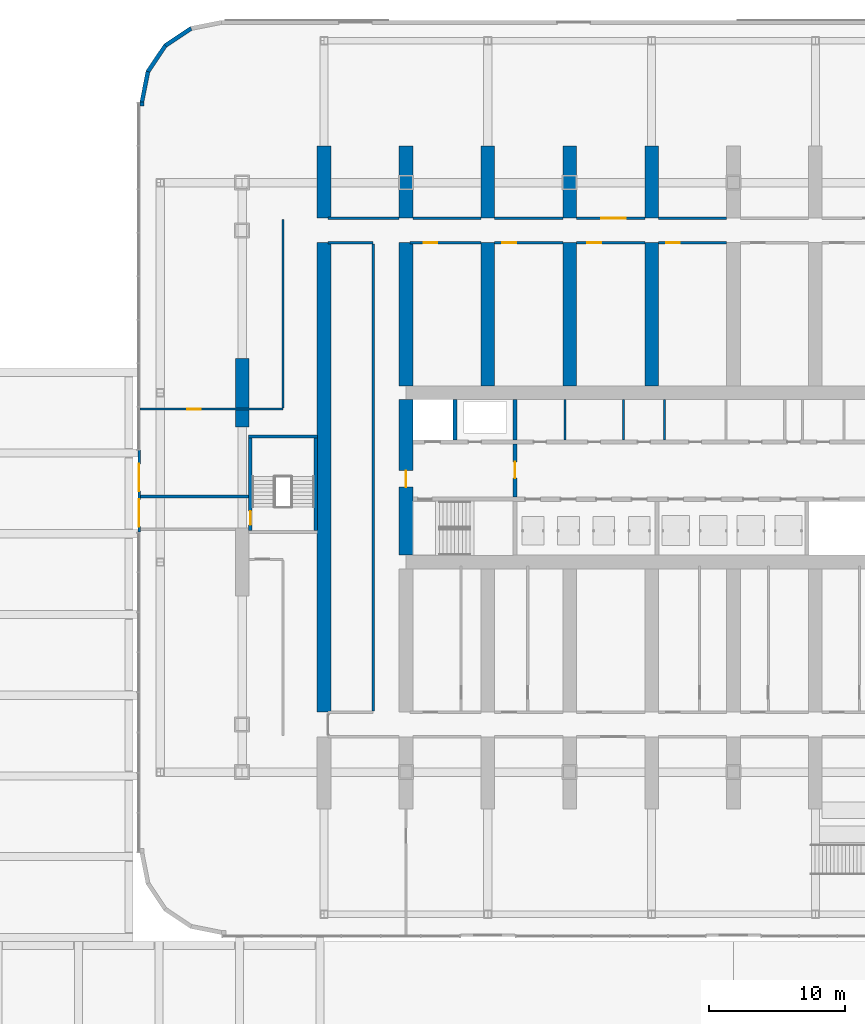
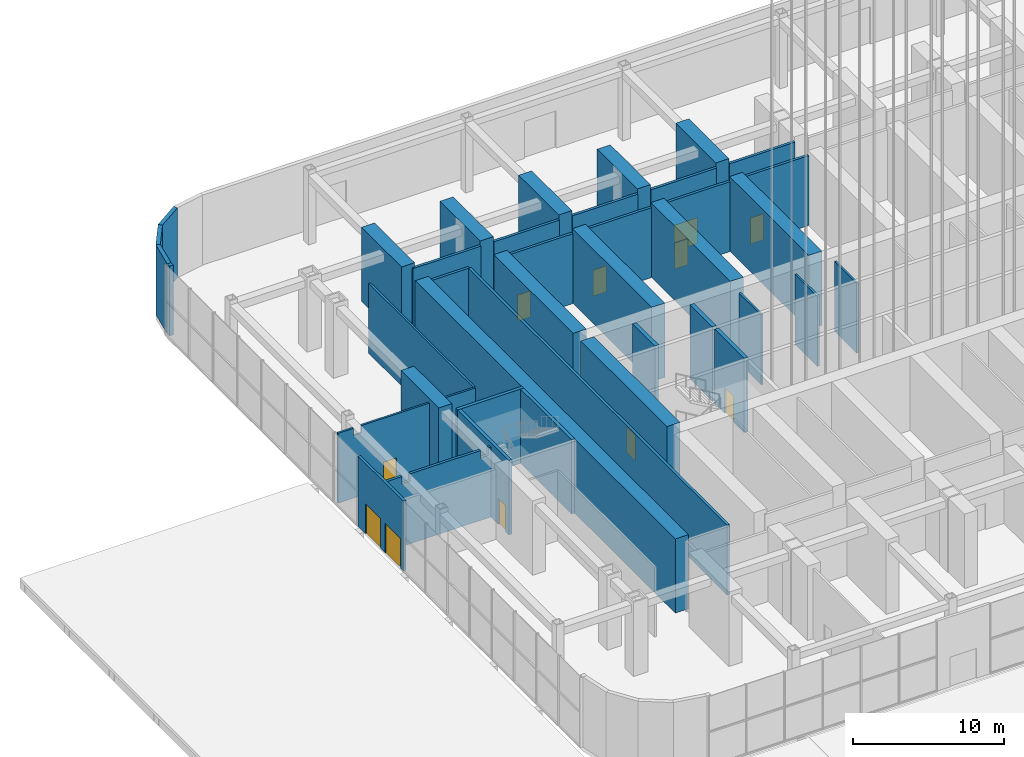
# One storey, part 19 of 57: 40 walls, 11 doors, 11 openings.
"""IFC4 building model written with IfcOpenShell, lengths in metres."""

from ifc_helpers import new_model, si_unit, direction, frame, frame_2d, origin, place, context, subcontext, project, spatial, polyline, rectangle, outline, extrude, material, layer, layer_set, type_object, element, fill, save


model = new_model("IFC4")

# Units and contexts
model_context = context("Model", 3, precision=1e-05, world=origin(), true_north=direction((0.0, 1.0)))
body_context = subcontext(model_context, "Body", "Model", "MODEL_VIEW")
ifc_project = project(units=[si_unit("LENGTHUNIT", "METRE"), si_unit("AREAUNIT", "SQUARE_METRE"), si_unit("VOLUMEUNIT", "CUBIC_METRE"), si_unit("PLANEANGLEUNIT", "RADIAN"), si_unit("MASSUNIT", "GRAM", prefix="KILO")], contexts=[model_context])

# Site, building, storey
site_placement = place(None, origin())
site = spatial("IfcSite", under=ifc_project, at=site_placement, CompositionType="ELEMENT")
building_placement = place(site_placement, origin())
building = spatial("IfcBuilding", under=site, at=building_placement, Name="Orbita Commons", CompositionType="ELEMENT")
storey_placement = place(building_placement, origin())
storey = spatial("IfcBuildingStorey", under=building, at=storey_placement, Name="L00", CompositionType="ELEMENT", Elevation=0.0)

# Wall, opening, door
ifc_material_1 = material(Name="Concrete C50/60", Category="concrete")
ifc_layer_1 = layer(ifc_material_1, 0.300048828125)
ifc_layer_set_1 = layer_set([ifc_layer_1], Name="Concrete C50/60")
wall_type_1 = type_object("IfcWallType", Name="Core inner wall 300 C50/60", PredefinedType="SHEAR", material=ifc_layer_set_1)
wall_1_placement = place(storey_placement, frame((26.0, 30.550048828125, 0.0), z_axis=(0.0, 0.0, 1.0), x_axis=(0.0, 1.0, 0.0)))
wall_1 = element("IfcWall", 1, at=wall_1_placement, inside=storey, type_object=wall_type_1, Name="Firefighting lobby wall west L00", PredefinedType="SHEAR", context=body_context, shape_type="SweptSolid", body=[
    extrude(rectangle(XDim=3.89990234375, YDim=0.300048828125, at=frame_2d((1.949951171875, 0.0))), origin(), (0.0, 0.0, 1.0), 6.0),
])
opening_1_placement = place(wall_1_placement, frame((1.39990234375, 0.0, 0.0)))
opening_1 = element("IfcOpeningElement", 2, at=opening_1_placement, cuts=wall_1, Name="Opening D04", PredefinedType="OPENING", context=body_context, shape_type="SweptSolid", body=[
    extrude(rectangle(XDim=1.199951171875, YDim=2.10009765625, at=frame_2d((0.60009765625, 1.050048828125))), frame((0.0, 0.159912109375, 0.0), z_axis=(0.0, -1.0, 0.0), x_axis=(1.0, 0.0, 0.0)), (0.0, 0.0, 1.0), 0.320068359375),
])
ifc_material_2 = material(Name="Steel-faced fire door leaf", Category="steel")
door_type_1 = type_object("IfcDoorType", Name="Service door 20 min 1200x2100", OperationType="SINGLE_SWING_LEFT", PredefinedType="DOOR", material=ifc_material_2)
door_1_placement = place(opening_1_placement, origin())
door_1 = element("IfcDoor", 3, at=door_1_placement, inside=storey, type_object=door_type_1, Name="Lift lobby door west", OperationType="SINGLE_SWING_LEFT", OverallHeight=2.10009765625, OverallWidth=1.199951171875, PredefinedType="DOOR", context=body_context, shape_type="SweptSolid", body=[
    extrude(rectangle(XDim=1.199951171875, YDim=2.10009765625, at=frame_2d((0.60009765625, 1.050048828125))), frame((0.0, 0.02490234375, 0.0), z_axis=(0.0, -1.0, 0.0), x_axis=(1.0, 0.0, 0.0)), (0.0, 0.0, 1.0), 0.050048828125),
])
fill(opening_1, door_1)

# Walls
for number, where, z_axis, x_axis, name in (
    (4, (21.60009765625, 34.75, 0.0), (0.0, 0.0, 1.0), (0.0, 1.0, 0.0), "Firefighting lift FL1 shaft wall L00"),
    (5, (26.0, 34.75, 0.0), (0.0, 0.0, 1.0), (0.0, 1.0, 0.0), "Riser wall west L00"),
):
    element("IfcWall", number, at=place(storey_placement, frame(where, z_axis=z_axis, x_axis=x_axis)), inside=storey, type_object=wall_type_1, Name=name, PredefinedType="SHEAR", context=body_context, shape_type="SweptSolid", body=[
        extrude(rectangle(XDim=2.949951171875, YDim=0.300048828125, at=frame_2d((1.47509765625, 0.0))), origin(), (0.0, 0.0, 1.0), 6.0),
    ])
ifc_material_3 = material(Name="Concrete blockwork", Category="masonry")
ifc_layer_2 = layer(ifc_material_3, 0.14990234375)
ifc_layer_set_2 = layer_set([ifc_layer_2], Name="Concrete blockwork")
wall_type_2 = type_object("IfcWallType", Name="Core partition 150 blockwork", PredefinedType="SOLIDWALL", material=ifc_layer_set_2)
for number, where, z_axis, x_axis, name in (
    (6, (29.65087890625, 34.75, 0.0), (0.0, 0.0, 1.0), (0.0, 1.0, 0.0), "Core partition 150 blockwork L00"),
    (7, (33.9462890625, 34.75, 0.0), (0.0, 0.0, 1.0), (0.0, 1.0, 0.0), "Core partition 150 blockwork L00"),
    (8, (36.9462890625, 34.75, 0.0), (0.0, 0.0, 1.0), (0.0, 1.0, 0.0), "Core partition 150 blockwork L00"),
):
    element("IfcWall", number, at=place(storey_placement, frame(where, z_axis=z_axis, x_axis=x_axis)), inside=storey, type_object=wall_type_2, Name=name, PredefinedType="SOLIDWALL", context=body_context, shape_type="SweptSolid", body=[
        extrude(rectangle(XDim=2.949951171875, YDim=0.14990234375, at=frame_2d((1.47509765625, 0.0))), origin(), (0.0, 0.0, 1.0), 5.64990234375),
    ])

# Wall, opening, door
ifc_material_4 = material(Name="Concrete C50/60", Category="concrete")
ifc_layer_3 = layer(ifc_material_4, 1.0)
ifc_layer_set_3 = layer_set([ifc_layer_3], Name="Concrete C50/60")
wall_type_3 = type_object("IfcWallType", Name="Core wall 1000 C50/60", PredefinedType="SHEAR", material=ifc_layer_set_3)
wall_2_placement = place(storey_placement, frame((18.0, 26.300048828125, 0.0), z_axis=(0.0, 0.0, 1.0), x_axis=(0.0, 1.0, 0.0)))
wall_2 = element("IfcWall", 9, at=wall_2_placement, inside=storey, type_object=wall_type_3, Name="Core end wall west L00", PredefinedType="SHEAR", context=body_context, shape_type="SweptSolid", body=[
    extrude(rectangle(XDim=11.39990234375, YDim=1.0, at=frame_2d((5.699951171875, 0.0))), origin(), (0.0, 0.0, 1.0), 6.0),
])
opening_2_placement = place(wall_2_placement, frame((5.0, 0.0, 0.0)))
opening_2 = element("IfcOpeningElement", 10, at=opening_2_placement, cuts=wall_2, Name="Opening D01", PredefinedType="OPENING", context=body_context, shape_type="SweptSolid", body=[
    extrude(rectangle(XDim=1.199951171875, YDim=2.10009765625, at=frame_2d((0.60009765625, 1.050048828125))), frame((0.0, 0.510009765625, 0.0), z_axis=(0.0, -1.0, 0.0), x_axis=(1.0, 0.0, 0.0)), (0.0, 0.0, 1.0), 1.02001953125),
])
ifc_material_5 = material(Name="Steel-faced fire door leaf", Category="steel")
door_type_2 = type_object("IfcDoorType", Name="Fire door 90 min 1200x2100", OperationType="SINGLE_SWING_LEFT", PredefinedType="DOOR", material=ifc_material_5)
door_2_placement = place(opening_2_placement, origin())
door_2 = element("IfcDoor", 11, at=door_2_placement, inside=storey, type_object=door_type_2, Name="Firefighting lobby west door", OperationType="SINGLE_SWING_LEFT", OverallHeight=2.10009765625, OverallWidth=1.199951171875, PredefinedType="DOOR", context=body_context, shape_type="SweptSolid", body=[
    extrude(rectangle(XDim=1.199951171875, YDim=2.10009765625, at=frame_2d((0.60009765625, 1.050048828125))), frame((0.0, 0.02490234375, 0.0), z_axis=(0.0, -1.0, 0.0), x_axis=(1.0, 0.0, 0.0)), (0.0, 0.0, 1.0), 0.050048828125),
])
fill(opening_2, door_2)

# Walls
ifc_material_6 = material(Name="Concrete blockwork", Category="masonry")
ifc_layer_4 = layer(ifc_material_6, 0.199951171875)
ifc_layer_set_4 = layer_set([ifc_layer_4], Name="Concrete blockwork")
wall_type_4 = type_object("IfcWallType", Name="Corridor wall 200 blockwork", PredefinedType="SOLIDWALL", material=ifc_layer_set_4)
wall_3_placement = place(storey_placement, frame((12.300048828125, 51.0, 0.0), z_axis=(0.0, 0.0, 1.0), x_axis=(1.0, 0.0, 0.0)))
element("IfcWall", 12, at=wall_3_placement, inside=storey, type_object=wall_type_4, Name="Corridor wall 200 blockwork L00", PredefinedType="SOLIDWALL", context=body_context, shape_type="SweptSolid", body=[
    extrude(rectangle(XDim=5.199951171875, YDim=0.199951171875, at=frame_2d((2.60009765625, 0.0))), origin(), (0.0, 0.0, 1.0), 5.64990234375),
])
for number, where, z_axis, x_axis, name in (
    (13, (18.5, 51.0, 0.0), (0.0, 0.0, 1.0), (1.0, 0.0, 0.0), "Corridor wall 200 blockwork L00"),
    (14, (24.5, 51.0, 0.0), (0.0, 0.0, 1.0), (1.0, 0.0, 0.0), "Corridor wall 200 blockwork L00"),
):
    element("IfcWall", number, at=place(storey_placement, frame(where, z_axis=z_axis, x_axis=x_axis)), inside=storey, type_object=wall_type_4, Name=name, PredefinedType="SOLIDWALL", context=body_context, shape_type="SweptSolid", body=[
        extrude(rectangle(XDim=5.0, YDim=0.199951171875, at=frame_2d((2.5, 0.0))), origin(), (0.0, 0.0, 1.0), 5.64990234375),
    ])

# Wall, opening, door
wall_4_placement = place(storey_placement, frame((30.5, 51.0, 0.0), z_axis=(0.0, 0.0, 1.0), x_axis=(1.0, 0.0, 0.0)))
wall_4 = element("IfcWall", 15, at=wall_4_placement, inside=storey, type_object=wall_type_4, Name="Corridor wall 200 blockwork L00", PredefinedType="SOLIDWALL", context=body_context, shape_type="SweptSolid", body=[
    extrude(rectangle(XDim=5.0, YDim=0.199951171875, at=frame_2d((2.5, 0.0))), origin(), (0.0, 0.0, 1.0), 5.64990234375),
])
opening_3_placement = place(wall_4_placement, frame((1.800048828125, 0.0, 0.0)))
opening_3 = element("IfcOpeningElement", 16, at=opening_3_placement, cuts=wall_4, Name="Opening D07", PredefinedType="OPENING", context=body_context, shape_type="SweptSolid", body=[
    extrude(rectangle(XDim=1.800048828125, YDim=2.10009765625, at=frame_2d((0.89990234375, 1.050048828125))), frame((0.0, 0.10986328125, 0.0), z_axis=(0.0, -1.0, 0.0), x_axis=(1.0, 0.0, 0.0)), (0.0, 0.0, 1.0), 0.219970703125),
])
ifc_material_7 = material(Name="Steel-faced fire door leaf", Category="steel")
door_type_3 = type_object("IfcDoorType", Name="Double corridor door 20 min 1800x2100", OperationType="DOUBLE_DOOR_SINGLE_SWING", PredefinedType="DOOR", material=ifc_material_7)
door_3_placement = place(opening_3_placement, origin())
door_3 = element("IfcDoor", 17, at=door_3_placement, inside=storey, type_object=door_type_3, Name="Hall doors north", OperationType="DOUBLE_DOOR_SINGLE_SWING", OverallHeight=2.10009765625, OverallWidth=1.800048828125, PredefinedType="DOOR", context=body_context, shape_type="SweptSolid", body=[
    extrude(rectangle(XDim=1.800048828125, YDim=2.10009765625, at=frame_2d((0.89990234375, 1.050048828125))), frame((0.0, 0.02490234375, 0.0), z_axis=(0.0, -1.0, 0.0), x_axis=(1.0, 0.0, 0.0)), (0.0, 0.0, 1.0), 0.050048828125),
])
fill(opening_3, door_3)

# Walls
wall_5_placement = place(storey_placement, frame((36.5, 51.0, 0.0), z_axis=(0.0, 0.0, 1.0), x_axis=(1.0, 0.0, 0.0)))
element("IfcWall", 18, at=wall_5_placement, inside=storey, type_object=wall_type_4, Name="Corridor wall 200 blockwork L00", PredefinedType="SOLIDWALL", context=body_context, shape_type="SweptSolid", body=[
    extrude(rectangle(XDim=5.0, YDim=0.199951171875, at=frame_2d((2.5, 0.0))), origin(), (0.0, 0.0, 1.0), 5.64990234375),
])
wall_6_placement = place(storey_placement, frame((12.300048828125, 49.199951171875, 0.0), z_axis=(0.0, 0.0, 1.0), x_axis=(1.0, 0.0, 0.0)))
element("IfcWall", 19, at=wall_6_placement, inside=storey, type_object=wall_type_4, Name="Corridor wall 200 blockwork L00", PredefinedType="SOLIDWALL", context=body_context, shape_type="SweptSolid", body=[
    extrude(rectangle(XDim=3.300048828125, YDim=0.199951171875, at=frame_2d((1.64990234375, 0.0))), origin(), (0.0, 0.0, 1.0), 5.64990234375),
])
wall_7_placement = place(storey_placement, frame((15.60009765625, 14.89990234375, 0.0), z_axis=(0.0, 0.0, 1.0), x_axis=(0.0, 1.0, 0.0)))
element("IfcWall", 20, at=wall_7_placement, inside=storey, type_object=wall_type_4, Name="Corridor wall 200 blockwork L00", PredefinedType="SOLIDWALL", context=body_context, shape_type="SweptSolid", body=[
    extrude(rectangle(XDim=34.2001953125, YDim=0.199951171875, at=frame_2d((17.10009765625, 0.0))), origin(), (0.0, 0.0, 1.0), 5.64990234375),
])

# Wall, opening, door
wall_8_placement = place(storey_placement, frame((18.300048828125, 49.199951171875, 0.0), z_axis=(0.0, 0.0, 1.0), x_axis=(1.0, 0.0, 0.0)))
wall_8 = element("IfcWall", 21, at=wall_8_placement, inside=storey, type_object=wall_type_4, Name="Corridor wall 200 blockwork L00", PredefinedType="SOLIDWALL", context=body_context, shape_type="SweptSolid", body=[
    extrude(rectangle(XDim=5.199951171875, YDim=0.199951171875, at=frame_2d((2.60009765625, 0.0))), origin(), (0.0, 0.0, 1.0), 5.64990234375),
])
opening_4_placement = place(wall_8_placement, frame((1.0, 0.0, 0.0)))
opening_4 = element("IfcOpeningElement", 22, at=opening_4_placement, cuts=wall_8, Name="Opening D06", PredefinedType="OPENING", context=body_context, shape_type="SweptSolid", body=[
    extrude(rectangle(XDim=1.0, YDim=2.10009765625, at=frame_2d((0.5, 1.050048828125))), frame((0.0, 0.10986328125, 0.0), z_axis=(0.0, -1.0, 0.0), x_axis=(1.0, 0.0, 0.0)), (0.0, 0.0, 1.0), 0.219970703125),
])
ifc_material_8 = material(Name="Steel-faced fire door leaf", Category="steel")
door_type_4 = type_object("IfcDoorType", Name="Corridor door 20 min 1000x2100", OperationType="SINGLE_SWING_LEFT", PredefinedType="DOOR", material=ifc_material_8)
door_4_placement = place(opening_4_placement, origin())
door_4 = element("IfcDoor", 23, at=door_4_placement, inside=storey, type_object=door_type_4, Name="Room door", OperationType="SINGLE_SWING_LEFT", OverallHeight=2.10009765625, OverallWidth=1.0, PredefinedType="DOOR", context=body_context, shape_type="SweptSolid", body=[
    extrude(rectangle(XDim=1.0, YDim=2.10009765625, at=frame_2d((0.5, 1.050048828125))), frame((0.0, 0.02490234375, 0.0), z_axis=(0.0, -1.0, 0.0), x_axis=(1.0, 0.0, 0.0)), (0.0, 0.0, 1.0), 0.050048828125),
])
fill(opening_4, door_4)

wall_9_placement = place(storey_placement, frame((24.5, 49.199951171875, 0.0), z_axis=(0.0, 0.0, 1.0), x_axis=(1.0, 0.0, 0.0)))
wall_9 = element("IfcWall", 24, at=wall_9_placement, inside=storey, type_object=wall_type_4, Name="Corridor wall 200 blockwork L00", PredefinedType="SOLIDWALL", context=body_context, shape_type="SweptSolid", body=[
    extrude(rectangle(XDim=5.0, YDim=0.199951171875, at=frame_2d((2.5, 0.0))), origin(), (0.0, 0.0, 1.0), 5.64990234375),
])
opening_5_placement = place(wall_9_placement, frame((0.574951171875, 0.0, 0.0)))
opening_5 = element("IfcOpeningElement", 25, at=opening_5_placement, cuts=wall_9, Name="Opening D06", PredefinedType="OPENING", context=body_context, shape_type="SweptSolid", body=[
    extrude(rectangle(XDim=1.0, YDim=2.10009765625, at=frame_2d((0.5, 1.050048828125))), frame((0.0, 0.10986328125, 0.0), z_axis=(0.0, -1.0, 0.0), x_axis=(1.0, 0.0, 0.0)), (0.0, 0.0, 1.0), 0.219970703125),
])
door_5_placement = place(opening_5_placement, origin())
door_5 = element("IfcDoor", 26, at=door_5_placement, inside=storey, type_object=door_type_4, Name="Room door", OperationType="SINGLE_SWING_LEFT", OverallHeight=2.10009765625, OverallWidth=1.0, PredefinedType="DOOR", context=body_context, shape_type="SweptSolid", body=[
    extrude(rectangle(XDim=1.0, YDim=2.10009765625, at=frame_2d((0.5, 1.050048828125))), frame((0.0, 0.02490234375, 0.0), z_axis=(0.0, -1.0, 0.0), x_axis=(1.0, 0.0, 0.0)), (0.0, 0.0, 1.0), 0.050048828125),
])
fill(opening_5, door_5)

wall_10_placement = place(storey_placement, frame((30.5, 49.199951171875, 0.0), z_axis=(0.0, 0.0, 1.0), x_axis=(1.0, 0.0, 0.0)))
wall_10 = element("IfcWall", 27, at=wall_10_placement, inside=storey, type_object=wall_type_4, Name="Corridor wall 200 blockwork L00", PredefinedType="SOLIDWALL", context=body_context, shape_type="SweptSolid", body=[
    extrude(rectangle(XDim=5.0, YDim=0.199951171875, at=frame_2d((2.5, 0.0))), origin(), (0.0, 0.0, 1.0), 5.64990234375),
])
opening_6_placement = place(wall_10_placement, frame((0.800048828125, 0.0, 0.0)))
opening_6 = element("IfcOpeningElement", 28, at=opening_6_placement, cuts=wall_10, Name="Opening D06", PredefinedType="OPENING", context=body_context, shape_type="SweptSolid", body=[
    extrude(rectangle(XDim=1.0, YDim=2.10009765625, at=frame_2d((0.5, 1.050048828125))), frame((0.0, 0.10986328125, 0.0), z_axis=(0.0, -1.0, 0.0), x_axis=(1.0, 0.0, 0.0)), (0.0, 0.0, 1.0), 0.219970703125),
])
door_6_placement = place(opening_6_placement, origin())
door_6 = element("IfcDoor", 29, at=door_6_placement, inside=storey, type_object=door_type_4, Name="Room door", OperationType="SINGLE_SWING_LEFT", OverallHeight=2.10009765625, OverallWidth=1.0, PredefinedType="DOOR", context=body_context, shape_type="SweptSolid", body=[
    extrude(rectangle(XDim=1.0, YDim=2.10009765625, at=frame_2d((0.5, 1.050048828125))), frame((0.0, 0.02490234375, 0.0), z_axis=(0.0, -1.0, 0.0), x_axis=(1.0, 0.0, 0.0)), (0.0, 0.0, 1.0), 0.050048828125),
])
fill(opening_6, door_6)

wall_11_placement = place(storey_placement, frame((36.5, 49.199951171875, 0.0), z_axis=(0.0, 0.0, 1.0), x_axis=(1.0, 0.0, 0.0)))
wall_11 = element("IfcWall", 30, at=wall_11_placement, inside=storey, type_object=wall_type_4, Name="Corridor wall 200 blockwork L00", PredefinedType="SOLIDWALL", context=body_context, shape_type="SweptSolid", body=[
    extrude(rectangle(XDim=5.0, YDim=0.199951171875, at=frame_2d((2.5, 0.0))), origin(), (0.0, 0.0, 1.0), 5.64990234375),
])
opening_7_placement = place(wall_11_placement, frame((0.574951171875, 0.0, 0.0)))
opening_7 = element("IfcOpeningElement", 31, at=opening_7_placement, cuts=wall_11, Name="Opening D06", PredefinedType="OPENING", context=body_context, shape_type="SweptSolid", body=[
    extrude(rectangle(XDim=1.0, YDim=2.10009765625, at=frame_2d((0.5, 1.050048828125))), frame((0.0, 0.10986328125, 0.0), z_axis=(0.0, -1.0, 0.0), x_axis=(1.0, 0.0, 0.0)), (0.0, 0.0, 1.0), 0.219970703125),
])
door_7_placement = place(opening_7_placement, origin())
door_7 = element("IfcDoor", 32, at=door_7_placement, inside=storey, type_object=door_type_4, Name="Room door", OperationType="SINGLE_SWING_LEFT", OverallHeight=2.10009765625, OverallWidth=1.0, PredefinedType="DOOR", context=body_context, shape_type="SweptSolid", body=[
    extrude(rectangle(XDim=1.0, YDim=2.10009765625, at=frame_2d((0.5, 1.050048828125))), frame((0.0, 0.02490234375, 0.0), z_axis=(0.0, -1.0, 0.0), x_axis=(1.0, 0.0, 0.0)), (0.0, 0.0, 1.0), 0.050048828125),
])
fill(opening_7, door_7)

# Walls
ifc_material_9 = material(Name="Hollow concrete block 200", Category="concrete")
ifc_layer_5 = layer(ifc_material_9, 0.199951171875)
ifc_layer_set_5 = layer_set([ifc_layer_5], Name="Hollow concrete block 200")
wall_type_5 = type_object("IfcWallType", Name="Corridor wall 200 hollow concrete block", PredefinedType="SOLIDWALL", material=ifc_layer_set_5)
wall_12_placement = place(storey_placement, frame((-1.445068359375, 30.60009765625, 0.0), z_axis=(0.0, 0.0, 1.0), x_axis=(1.0, 0.0, 0.0)))
element("IfcWall", 33, at=wall_12_placement, inside=storey, type_object=wall_type_5, Name="Corridor wall 200 hollow concrete block L00", PredefinedType="SOLIDWALL", context=body_context, shape_type="SweptSolid", body=[
    extrude(outline(polyline([(0.0, 0.0), (7.920166015625, 0.0), (7.919921875, 5.64990234375), (7.7470703125, 5.64990234375), (7.7451171875, 5.050048828125), (7.14697265625, 5.050048828125), (7.14501953125, 5.64990234375), (1.7470703125, 5.64990234375), (1.7451171875, 5.050048828125), (1.14697265625, 5.050048828125), (1.14501953125, 5.64990234375), (0.0, 5.64990234375), (0.0, 0.0)])), frame((0.0, 0.10009765625, 0.0), z_axis=(0.0, -1.0, 0.0), x_axis=(1.0, 0.0, 0.0)), (0.0, 0.0, 1.0), 0.199951171875),
])
ifc_material_10 = material(Name="Concrete C50/60", Category="concrete")
ifc_layer_6 = layer(ifc_material_10, 1.0)
ifc_layer_set_6 = layer_set([ifc_layer_6], Name="Concrete C50/60")
wall_type_6 = type_object("IfcWallType", Name="Cross wall 1000 C50/60", PredefinedType="SHEAR", material=ifc_layer_set_6)
wall_13_placement = place(storey_placement, frame((12.0, 51.0, 0.0), z_axis=(0.0, 0.0, 1.0), x_axis=(0.0, 1.0, 0.0)))
element("IfcWall", 34, at=wall_13_placement, inside=storey, type_object=wall_type_6, Name="Cross wall 3 north outer L00", PredefinedType="SHEAR", context=body_context, shape_type="SweptSolid", body=[
    extrude(rectangle(XDim=5.300048828125, YDim=1.0, at=frame_2d((2.64990234375, 0.0))), origin(), (0.0, 0.0, 1.0), 6.0),
])
wall_14_placement = place(storey_placement, frame((12.0, 14.800048828125, 0.0), z_axis=(0.0, 0.0, 1.0), x_axis=(0.0, 1.0, 0.0)))
element("IfcWall", 35, at=wall_14_placement, inside=storey, type_object=wall_type_6, Name="Cross wall 3 inner L00", PredefinedType="SHEAR", context=body_context, shape_type="SweptSolid", body=[
    extrude(rectangle(XDim=34.39990234375, YDim=1.0, at=frame_2d((17.199951171875, 0.0))), origin(), (0.0, 0.0, 1.0), 6.0),
])
wall_15_placement = place(storey_placement, frame((18.0, 51.0, 0.0), z_axis=(0.0, 0.0, 1.0), x_axis=(0.0, 1.0, 0.0)))
element("IfcWall", 36, at=wall_15_placement, inside=storey, type_object=wall_type_6, Name="Cross wall 4 north outer L00", PredefinedType="SHEAR", context=body_context, shape_type="SweptSolid", body=[
    extrude(rectangle(XDim=5.300048828125, YDim=1.0, at=frame_2d((2.64990234375, 0.0))), origin(), (0.0, 0.0, 1.0), 6.0),
])
wall_16_placement = place(storey_placement, frame((18.0, 38.699951171875, 0.0), z_axis=(0.0, 0.0, 1.0), x_axis=(0.0, 1.0, 0.0)))
element("IfcWall", 37, at=wall_16_placement, inside=storey, type_object=wall_type_6, Name="Cross wall 4 north inner L00", PredefinedType="SHEAR", context=body_context, shape_type="SweptSolid", body=[
    extrude(rectangle(XDim=10.5, YDim=1.0, at=frame_2d((5.25, 0.0))), origin(), (0.0, 0.0, 1.0), 6.0),
])
wall_17_placement = place(storey_placement, frame((24.0, 51.0, 0.0), z_axis=(0.0, 0.0, 1.0), x_axis=(0.0, 1.0, 0.0)))
element("IfcWall", 38, at=wall_17_placement, inside=storey, type_object=wall_type_6, Name="Cross wall 5 north outer L00", PredefinedType="SHEAR", context=body_context, shape_type="SweptSolid", body=[
    extrude(rectangle(XDim=5.300048828125, YDim=1.0, at=frame_2d((2.64990234375, 0.0))), origin(), (0.0, 0.0, 1.0), 6.0),
])
wall_18_placement = place(storey_placement, frame((24.0, 38.699951171875, 0.0), z_axis=(0.0, 0.0, 1.0), x_axis=(0.0, 1.0, 0.0)))
element("IfcWall", 39, at=wall_18_placement, inside=storey, type_object=wall_type_6, Name="Cross wall 5 north inner L00", PredefinedType="SHEAR", context=body_context, shape_type="SweptSolid", body=[
    extrude(rectangle(XDim=10.5, YDim=1.0, at=frame_2d((5.25, 0.0))), origin(), (0.0, 0.0, 1.0), 6.0),
])
wall_19_placement = place(storey_placement, frame((30.0, 51.0, 0.0), z_axis=(0.0, 0.0, 1.0), x_axis=(0.0, 1.0, 0.0)))
element("IfcWall", 40, at=wall_19_placement, inside=storey, type_object=wall_type_6, Name="Cross wall 6 north outer L00", PredefinedType="SHEAR", context=body_context, shape_type="SweptSolid", body=[
    extrude(rectangle(XDim=5.300048828125, YDim=1.0, at=frame_2d((2.64990234375, 0.0))), origin(), (0.0, 0.0, 1.0), 6.0),
])
wall_20_placement = place(storey_placement, frame((30.0, 38.699951171875, 0.0), z_axis=(0.0, 0.0, 1.0), x_axis=(0.0, 1.0, 0.0)))
element("IfcWall", 41, at=wall_20_placement, inside=storey, type_object=wall_type_6, Name="Cross wall 6 north inner L00", PredefinedType="SHEAR", context=body_context, shape_type="SweptSolid", body=[
    extrude(rectangle(XDim=10.5, YDim=1.0, at=frame_2d((5.25, 0.0))), origin(), (0.0, 0.0, 1.0), 6.0),
])
wall_21_placement = place(storey_placement, frame((36.0, 51.0, 0.0), z_axis=(0.0, 0.0, 1.0), x_axis=(0.0, 1.0, 0.0)))
element("IfcWall", 42, at=wall_21_placement, inside=storey, type_object=wall_type_6, Name="Cross wall 7 north outer L00", PredefinedType="SHEAR", context=body_context, shape_type="SweptSolid", body=[
    extrude(rectangle(XDim=5.300048828125, YDim=1.0, at=frame_2d((2.64990234375, 0.0))), origin(), (0.0, 0.0, 1.0), 6.0),
])
wall_22_placement = place(storey_placement, frame((36.0, 38.699951171875, 0.0), z_axis=(0.0, 0.0, 1.0), x_axis=(0.0, 1.0, 0.0)))
element("IfcWall", 43, at=wall_22_placement, inside=storey, type_object=wall_type_6, Name="Cross wall 7 north inner L00", PredefinedType="SHEAR", context=body_context, shape_type="SweptSolid", body=[
    extrude(rectangle(XDim=10.5, YDim=1.0, at=frame_2d((5.25, 0.0))), origin(), (0.0, 0.0, 1.0), 6.0),
])
ifc_material_11 = material(Name="Concrete C50/60", Category="concrete")
ifc_layer_7 = layer(ifc_material_11, 1.0)
ifc_layer_set_7 = layer_set([ifc_layer_7], Name="Concrete C50/60")
wall_type_7 = type_object("IfcWallType", Name="End pier 1000x5000 C50/60", PredefinedType="SHEAR", material=ifc_layer_set_7)
wall_23_placement = place(storey_placement, frame((6.0, 35.699951171875, 0.0), z_axis=(0.0, 0.0, 1.0), x_axis=(0.0, 1.0, 0.0)))
element("IfcWall", 44, at=wall_23_placement, inside=storey, type_object=wall_type_7, Name="End pier 2/D L00", PredefinedType="SHEAR", context=body_context, shape_type="SweptSolid", body=[
    extrude(rectangle(XDim=5.0, YDim=1.0, at=frame_2d((2.5, 0.0))), origin(), (0.0, 0.0, 1.0), 6.0),
])

# Wall, openings, doors
ifc_material_12 = material(Name="Aluminium framed glazed screen", Category="aluminium")
ifc_layer_8 = layer(ifc_material_12, 0.199951171875)
ifc_layer_set_8 = layer_set([ifc_layer_8], Name="Aluminium framed glazed screen")
wall_type_8 = type_object("IfcWallType", Name="Glazed entrance screen 200", PredefinedType="SOLIDWALL", material=ifc_layer_set_8)
wall_24_placement = place(storey_placement, frame((-1.550048828125, 34.0, 0.0), z_axis=(0.0, 0.0, 1.0), x_axis=(0.0, -1.0, 0.0)))
wall_24 = element("IfcWall", 45, at=wall_24_placement, inside=storey, type_object=wall_type_8, Name="Entrance screen W 1", PredefinedType="SOLIDWALL", context=body_context, shape_type="SweptSolid", body=[
    extrude(rectangle(XDim=6.0, YDim=0.199951171875, at=frame_2d((3.0, 0.0))), origin(), (0.0, 0.0, 1.0), 5.64990234375),
])
opening_8_placement = place(wall_24_placement, frame((1.0, 0.0, 0.0)))
opening_8 = element("IfcOpeningElement", 46, at=opening_8_placement, cuts=wall_24, Name="Opening D91", PredefinedType="OPENING", context=body_context, shape_type="SweptSolid", body=[
    extrude(rectangle(XDim=2.0, YDim=2.39990234375, at=frame_2d((1.0, 1.199951171875))), frame((0.0, 0.10986328125, 0.0), z_axis=(0.0, -1.0, 0.0), x_axis=(1.0, 0.0, 0.0)), (0.0, 0.0, 1.0), 0.219970703125),
])
opening_9_placement = place(wall_24_placement, frame((3.60009765625, 0.0, 0.0)))
opening_9 = element("IfcOpeningElement", 47, at=opening_9_placement, cuts=wall_24, Name="Opening D91", PredefinedType="OPENING", context=body_context, shape_type="SweptSolid", body=[
    extrude(rectangle(XDim=2.0, YDim=2.39990234375, at=frame_2d((1.0, 1.199951171875))), frame((0.0, 0.10986328125, 0.0), z_axis=(0.0, -1.0, 0.0), x_axis=(1.0, 0.0, 0.0)), (0.0, 0.0, 1.0), 0.219970703125),
])
ifc_material_13 = material(Name="Aluminium glazed door", Category="aluminium")
door_type_5 = type_object("IfcDoorType", Name="Entrance door pair 2000x2400", OperationType="DOUBLE_DOOR_SINGLE_SWING", PredefinedType="DOOR", material=ifc_material_13)
door_8_placement = place(opening_8_placement, origin())
door_8 = element("IfcDoor", 48, at=door_8_placement, inside=storey, type_object=door_type_5, Name="Entrance doors W 1", OperationType="DOUBLE_DOOR_SINGLE_SWING", OverallHeight=2.39990234375, OverallWidth=2.0, PredefinedType="DOOR", context=body_context, shape_type="SweptSolid", body=[
    extrude(rectangle(XDim=2.0, YDim=2.39990234375, at=frame_2d((1.0, 1.199951171875))), frame((0.0, 0.02490234375, 0.0), z_axis=(0.0, -1.0, 0.0), x_axis=(1.0, 0.0, 0.0)), (0.0, 0.0, 1.0), 0.050048828125),
])
fill(opening_8, door_8)
door_9_placement = place(opening_9_placement, frame((2.0, 0.0, 0.0), z_axis=(0.0, 0.0, 1.0), x_axis=(-1.0, 0.0, 0.0)))
door_9 = element("IfcDoor", 49, at=door_9_placement, inside=storey, type_object=door_type_5, Name="Exit doors W 1", OperationType="DOUBLE_DOOR_SINGLE_SWING", OverallHeight=2.39990234375, OverallWidth=2.0, PredefinedType="DOOR", context=body_context, shape_type="SweptSolid", body=[
    extrude(rectangle(XDim=2.0, YDim=2.39990234375, at=frame_2d((1.0, 1.199951171875))), frame((0.0, 0.02490234375, 0.0), z_axis=(0.0, -1.0, 0.0), x_axis=(1.0, 0.0, 0.0)), (0.0, 0.0, 1.0), 0.050048828125),
])
fill(opening_9, door_9)

# Wall, opening, door
ifc_material_14 = material(Name="Gypsum plasterboard on steel studs", Category="steel")
ifc_layer_9 = layer(ifc_material_14, 0.14990234375)
ifc_layer_set_9 = layer_set([ifc_layer_9], Name="Gypsum plasterboard on steel studs")
wall_type_9 = type_object("IfcWallType", Name="Partition 150 plasterboard", PredefinedType="PARTITIONING", material=ifc_layer_set_9)
wall_25_placement = place(storey_placement, frame((-1.489990234375, 37.0, 0.0), z_axis=(0.0, 0.0, 1.0), x_axis=(1.0, 0.0, 0.0)))
wall_25 = element("IfcWall", 50, at=wall_25_placement, inside=storey, type_object=wall_type_9, Name="Partition 150 plasterboard L00", PredefinedType="PARTITIONING", context=body_context, shape_type="SweptSolid", body=[
    extrude(outline(polyline([(0.0, 0.0), (10.489990234375, 0.0), (10.489990234375, 5.64990234375), (1.7919921875, 5.64990234375), (1.7900390625, 5.050048828125), (1.19189453125, 5.050048828125), (1.18994140625, 5.64990234375), (0.0, 5.64990234375), (0.0, 0.0)])), frame((0.0, 0.074951171875, 0.0), z_axis=(0.0, -1.0, 0.0), x_axis=(1.0, 0.0, 0.0)), (0.0, 0.0, 1.0), 0.14990234375),
])
opening_10_placement = place(wall_25_placement, frame((3.469970703125, 0.0, 0.0)))
opening_10 = element("IfcOpeningElement", 51, at=opening_10_placement, cuts=wall_25, Name="Opening D06", PredefinedType="OPENING", context=body_context, shape_type="SweptSolid", body=[
    extrude(rectangle(XDim=1.0, YDim=2.10009765625, at=frame_2d((0.5, 1.050048828125))), frame((0.0, 0.0849609375, 0.0), z_axis=(0.0, -1.0, 0.0), x_axis=(1.0, 0.0, 0.0)), (0.0, 0.0, 1.0), 0.169921875),
])
door_10_placement = place(opening_10_placement, origin())
door_10 = element("IfcDoor", 52, at=door_10_placement, inside=storey, type_object=door_type_4, Name="Study café door", OperationType="SINGLE_SWING_LEFT", OverallHeight=2.10009765625, OverallWidth=1.0, PredefinedType="DOOR", context=body_context, shape_type="SweptSolid", body=[
    extrude(rectangle(XDim=1.0, YDim=2.10009765625, at=frame_2d((0.5, 1.050048828125))), frame((0.0, 0.02490234375, 0.0), z_axis=(0.0, -1.0, 0.0), x_axis=(1.0, 0.0, 0.0)), (0.0, 0.0, 1.0), 0.050048828125),
])
fill(opening_10, door_10)

# Walls
wall_26_placement = place(storey_placement, frame((9.0, 37.074951171875, 0.0), z_axis=(0.0, 0.0, 1.0), x_axis=(0.0, 1.0, 0.0)))
element("IfcWall", 53, at=wall_26_placement, inside=storey, type_object=wall_type_9, Name="Partition 150 plasterboard L00", PredefinedType="PARTITIONING", context=body_context, shape_type="SweptSolid", body=[
    extrude(rectangle(XDim=13.824951171875, YDim=0.14990234375, at=frame_2d((6.91259765625, 0.0))), origin(), (0.0, 0.0, 1.0), 5.64990234375),
])
ifc_material_15 = material(Name="Concrete C50/60", Category="concrete")
ifc_layer_10 = layer(ifc_material_15, 0.25)
ifc_layer_set_10 = layer_set([ifc_layer_10], Name="Concrete C50/60")
wall_type_10 = type_object("IfcWallType", Name="Podium stair wall 250 RC", PredefinedType="SHEAR", material=ifc_layer_set_10)
wall_27_placement = place(storey_placement, frame((11.39990234375, 28.125, 0.0), z_axis=(0.0, 0.0, 1.0), x_axis=(0.0, 1.0, 0.0)))
element("IfcWall", 54, at=wall_27_placement, inside=storey, type_object=wall_type_10, Name="Podium stair PS1 wall e L00", PredefinedType="SHEAR", context=body_context, shape_type="SweptSolid", body=[
    extrude(rectangle(XDim=6.75, YDim=0.25, at=frame_2d((3.375, 0.0))), origin(), (0.0, 0.0, 1.0), 6.0),
])
wall_28_placement = place(storey_placement, frame((11.52490234375, 35.0, 0.0), z_axis=(0.0, 0.0, 1.0), x_axis=(-1.0, 0.0, 0.0)))
element("IfcWall", 55, at=wall_28_placement, inside=storey, type_object=wall_type_10, Name="Podium stair PS1 wall n L00", PredefinedType="SHEAR", context=body_context, shape_type="SweptSolid", body=[
    extrude(rectangle(XDim=5.0498046875, YDim=0.25, at=frame_2d((2.52490234375, 0.0))), origin(), (0.0, 0.0, 1.0), 6.0),
])

# Wall, opening, door
wall_29_placement = place(storey_placement, frame((6.60009765625, 34.875, 0.0), z_axis=(0.0, 0.0, 1.0), x_axis=(0.0, -1.0, 0.0)))
wall_29 = element("IfcWall", 56, at=wall_29_placement, inside=storey, type_object=wall_type_10, Name="Podium stair PS1 wall w L00", PredefinedType="SHEAR", context=body_context, shape_type="SweptSolid", body=[
    extrude(rectangle(XDim=6.75, YDim=0.25, at=frame_2d((3.375, 0.0))), origin(), (0.0, 0.0, 1.0), 6.0),
])
opening_11_placement = place(wall_29_placement, frame((5.35009765625, 0.0, 0.0)))
opening_11 = element("IfcOpeningElement", 57, at=opening_11_placement, cuts=wall_29, Name="Opening D02", PredefinedType="OPENING", context=body_context, shape_type="SweptSolid", body=[
    extrude(rectangle(XDim=1.0, YDim=2.10009765625, at=frame_2d((0.5, 1.050048828125))), frame((0.0, 0.135009765625, 0.0), z_axis=(0.0, -1.0, 0.0), x_axis=(1.0, 0.0, 0.0)), (0.0, 0.0, 1.0), 0.27001953125),
])
ifc_material_16 = material(Name="Steel-faced fire door leaf", Category="steel")
door_type_6 = type_object("IfcDoorType", Name="Fire door 90 min 1000x2100", OperationType="SINGLE_SWING_LEFT", PredefinedType="DOOR", material=ifc_material_16)
door_11_placement = place(opening_11_placement, origin())
door_11 = element("IfcDoor", 58, at=door_11_placement, inside=storey, type_object=door_type_6, Name="Podium exit stair PS1 door", OperationType="SINGLE_SWING_LEFT", OverallHeight=2.10009765625, OverallWidth=1.0, PredefinedType="DOOR", context=body_context, shape_type="SweptSolid", body=[
    extrude(rectangle(XDim=1.0, YDim=2.10009765625, at=frame_2d((0.5, 1.050048828125))), frame((0.0, 0.02490234375, 0.0), z_axis=(0.0, -1.0, 0.0), x_axis=(1.0, 0.0, 0.0)), (0.0, 0.0, 1.0), 0.050048828125),
])
fill(opening_11, door_11)

# Walls
ifc_material_17 = material(Name="Precast concrete C40/50, white board-marked finish", Category="concrete")
ifc_layer_11 = layer(ifc_material_17, 0.300048828125)
ifc_layer_set_11 = layer_set([ifc_layer_11], Name="Precast concrete C40/50, white board-marked finish")
wall_type_11 = type_object("IfcWallType", Name="Precast concrete end shield 300", PredefinedType="SOLIDWALL", material=ifc_layer_set_11)
for number, where, z_axis, x_axis, name in (
    (59, (2.26123046875, 64.90478515625, 0.0), (0.0, 0.0, 1.0), (-0.831490399244, -0.555539121903, 0.0), "Podium corner wall NW 2 L00"),
    (60, (0.36328125, 63.63671875, 0.0), (0.0, 0.0, 1.0), (-0.555539121903, -0.831490399244, 0.0), "Podium corner wall NW 3 L00"),
):
    element("IfcWall", number, at=place(storey_placement, frame(where, z_axis=z_axis, x_axis=x_axis)), inside=storey, type_object=wall_type_11, Name=name, PredefinedType="SOLIDWALL", context=body_context, shape_type="SweptSolid", body=[
        extrude(outline(polyline([(-0.02978515625, -0.14990234375), (2.312255859375, -0.14990234375), (2.252685546875, 0.14990234375), (0.02978515625, 0.14990234375), (-0.02978515625, -0.14990234375)])), origin(), (0.0, 0.0, 1.0), 5.64990234375),
    ])
wall_30_placement = place(storey_placement, frame((-0.90478515625, 61.73876953125, 0.0), z_axis=(0.0, 0.0, 1.0), x_axis=(-0.195087604935, -0.98078582086, 0.0)))
element("IfcWall", 61, at=wall_30_placement, inside=storey, type_object=wall_type_11, Name="Podium corner wall NW 4 L00", PredefinedType="SOLIDWALL", context=body_context, shape_type="SweptSolid", body=[
    extrude(outline(polyline([(-0.02978515625, -0.14990234375), (2.297607421875, -0.14990234375), (2.267822265625, 0.14990234375), (0.02978515625, 0.14990234375), (-0.02978515625, -0.14990234375)])), origin(), (0.0, 0.0, 1.0), 5.64990234375),
])
wall_31_placement = place(storey_placement, frame((-1.35009765625, 59.5, 0.0), z_axis=(0.0, 0.0, 1.0), x_axis=(0.0, -1.0, 0.0)))
element("IfcWall", 62, at=wall_31_placement, inside=storey, type_object=wall_type_11, Name="Podium corner wall jamb W2 L00", PredefinedType="SOLIDWALL", context=body_context, shape_type="SweptSolid", body=[
    extrude(rectangle(XDim=0.300048828125, YDim=0.300048828125, at=frame_2d((0.14990234375, 0.0))), origin(), (0.0, 0.0, 1.0), 5.64990234375),
])

save(model, "model.ifc")
